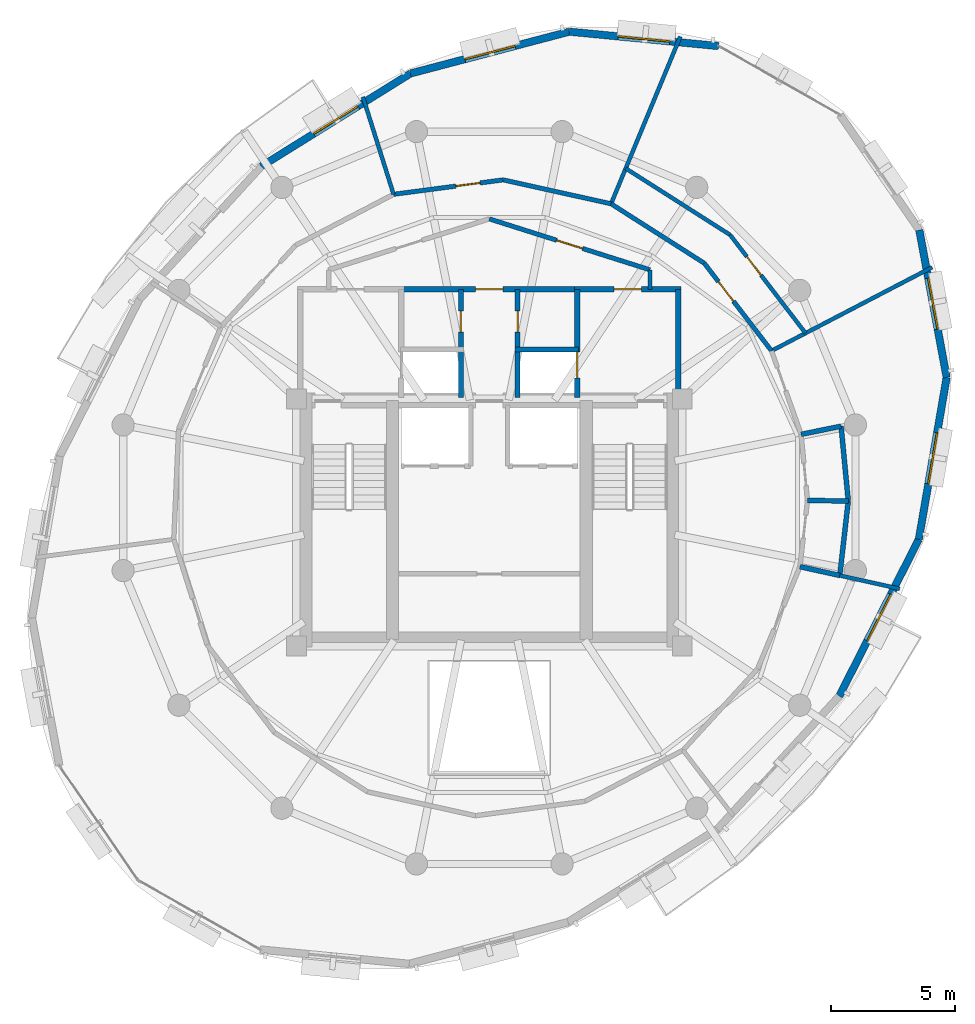
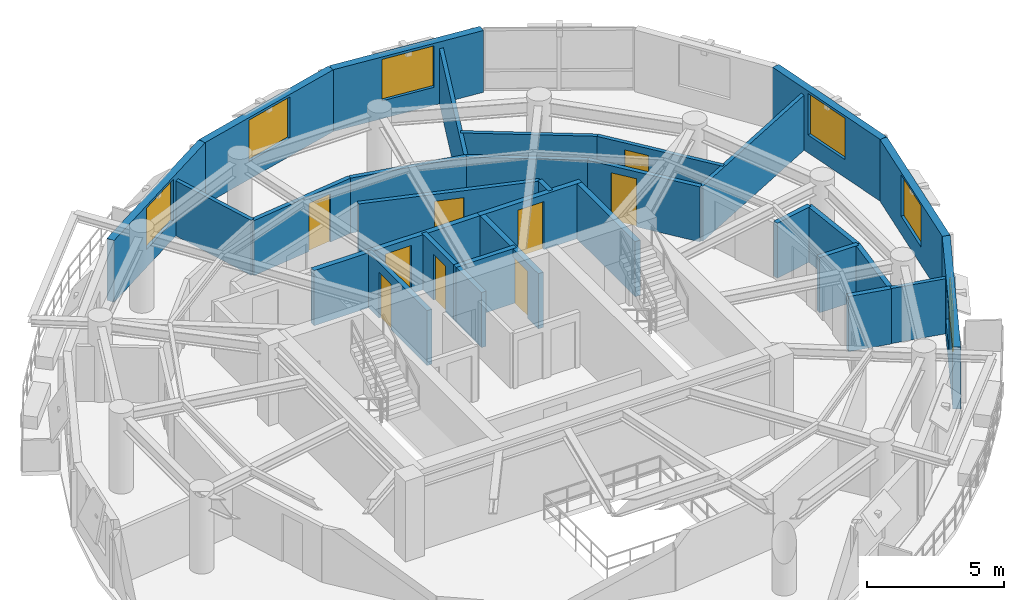
# One storey, part 9 of 12: 30 walls, 9 doors, 6 windows, 15 openings.
"""IFC4 building model written with IfcOpenShell, lengths in metres."""

from ifc_helpers import new_model, si_unit, direction, frame, frame_2d, origin, place, context, subcontext, project, spatial, rectangle, extrude, material, layer, layer_set, type_object, element, fill, save


model = new_model("IFC4")

# Units and contexts
model_context = context("Model", 3, precision=1e-05, world=origin(), true_north=direction((0.0, 1.0)))
body_context = subcontext(model_context, "Body", "Model", "MODEL_VIEW")
ifc_project = project(units=[si_unit("LENGTHUNIT", "METRE"), si_unit("AREAUNIT", "SQUARE_METRE"), si_unit("VOLUMEUNIT", "CUBIC_METRE"), si_unit("PLANEANGLEUNIT", "RADIAN"), si_unit("MASSUNIT", "GRAM", prefix="KILO"), si_unit("THERMODYNAMICTEMPERATUREUNIT", "KELVIN"), si_unit("POWERUNIT", "WATT")], contexts=[model_context])

# Site, building, storey
site_placement = place(None, origin())
site = spatial("IfcSite", under=ifc_project, at=site_placement, CompositionType="ELEMENT")
building_placement = place(site_placement, origin())
building = spatial("IfcBuilding", under=site, at=building_placement, Name="Ocrelia Relay Tower", CompositionType="ELEMENT")
storey_placement = place(building_placement, frame((0.0, 0.0, 230.39990234375)))
storey = spatial("IfcBuildingStorey", under=building, at=storey_placement, Name="L56", CompositionType="ELEMENT", Elevation=230.39990234375)

# Wall
ifc_material_1 = material(Name="Gypsum Fireboard Partition EI60", Category="gypsum")
ifc_layer_1 = layer(ifc_material_1, 0.179931640625, Name="Gypsum Fireboard Partition EI60")
ifc_layer_set_1 = layer_set([ifc_layer_1], Name="Gypsum Fireboard Partition EI60")
wall_type_1 = type_object("IfcWallType", Name="W-CORR-EI60-180", PredefinedType="PARTITIONING", material=ifc_layer_set_1)
wall_1_placement = place(storey_placement, frame((40.5, 35.218994140625, 0.0), z_axis=(0.0, 0.0, 1.0), x_axis=(0.0, -1.0, 0.0)))
element("IfcWall", 1, at=wall_1_placement, inside=storey, type_object=wall_type_1, Name="L56 Smoke Lobby East Return", PredefinedType="PARTITIONING", context=body_context, shape_type="SweptSolid", body=[
    extrude(rectangle(XDim=0.7890625, YDim=0.179931640625, at=frame_2d((0.39453125, 0.0))), origin(), (0.0, 0.0, 1.0), 2.460205078125),
])

# Wall, opening, door
wall_2_placement = place(storey_placement, frame((34.0, 37.280029296875, 0.0), z_axis=(0.0, 0.0, 1.0), x_axis=(0.953228121756, -0.302251795518, 0.0)))
wall_2 = element("IfcWall", 2, at=wall_2_placement, inside=storey, type_object=wall_type_1, Name="L56 North Smoke Lobby E Screen Wall", PredefinedType="PARTITIONING", context=body_context, shape_type="SweptSolid", body=[
    extrude(rectangle(XDim=6.81884765625, YDim=0.179931640625, at=frame_2d((3.409423828125, 0.0))), origin(), (0.0, 0.0, 1.0), 2.460205078125),
])
opening_1_placement = place(wall_2_placement, frame((2.859619140625, 0.0, 0.0)))
opening_1 = element("IfcOpeningElement", 3, at=opening_1_placement, cuts=wall_2, Name="Opening D-FD60", PredefinedType="OPENING", context=body_context, shape_type="SweptSolid", body=[
    extrude(rectangle(XDim=1.10009765625, YDim=2.14990234375, at=frame_2d((0.550048828125, 1.074951171875))), frame((0.0, 0.10009765625, 0.0), z_axis=(0.0, -1.0, 0.0), x_axis=(1.0, 0.0, 0.0)), (0.0, 0.0, 1.0), 0.199951171875),
])
ifc_material_2 = material(Name="Timber-core 60-min acoustic fire door", Category="wood")
door_type_1 = type_object("IfcDoorType", Name="DR-LOBBY-FD60-1100", OperationType="NOTDEFINED", PredefinedType="DOOR", material=ifc_material_2)
door_1_placement = place(opening_1_placement, origin())
door_1 = element("IfcDoor", 4, at=door_1_placement, inside=storey, type_object=door_type_1, Name="L56 North Smoke Lobby E Fire Door", OperationType="SINGLE_SWING_RIGHT", OverallHeight=2.14990234375, OverallWidth=1.10009765625, PredefinedType="DOOR", context=body_context, shape_type="SweptSolid", body=[
    extrude(rectangle(XDim=1.10009765625, YDim=2.14990234375, at=frame_2d((0.550048828125, 1.074951171875))), frame((0.0, 0.02490234375, 0.0), z_axis=(0.0, -1.0, 0.0), x_axis=(1.0, 0.0, 0.0)), (0.0, 0.0, 1.0), 0.050048828125),
])
fill(opening_1, door_1)

wall_3_placement = place(storey_placement, frame((45.415771484375, 31.942626953125, 0.0), z_axis=(0.0, 0.0, 1.0), x_axis=(-0.608746835117, 0.793364538365, 0.0)))
wall_3 = element("IfcWall", 5, at=wall_3_placement, inside=storey, type_object=wall_type_1, Name="L56 Counsel Office B Corridor Partition 1", PredefinedType="PARTITIONING", context=body_context, shape_type="SweptSolid", body=[
    extrude(rectangle(XDim=4.4697265625, YDim=0.179931640625, at=frame_2d((2.23486328125, 0.0))), origin(), (0.0, 0.0, 1.0), 2.460205078125),
])
opening_2_placement = place(wall_3_placement, frame((2.52734375, 0.0, 0.0)))
opening_2 = element("IfcOpeningElement", 6, at=opening_2_placement, cuts=wall_3, Name="Opening D-RM100", PredefinedType="OPENING", context=body_context, shape_type="SweptSolid", body=[
    extrude(rectangle(XDim=1.0, YDim=2.14990234375, at=frame_2d((0.5, 1.074951171875))), frame((0.0, 0.10009765625, 0.0), z_axis=(0.0, -1.0, 0.0), x_axis=(1.0, 0.0, 0.0)), (0.0, 0.0, 1.0), 0.199951171875),
])
ifc_material_3 = material(Name="Acoustic oak veneer fire door", Category="wood")
door_type_2 = type_object("IfcDoorType", Name="DR-ROOM-FD60-1000", OperationType="NOTDEFINED", PredefinedType="DOOR", material=ifc_material_3)
door_2_placement = place(opening_2_placement, origin())
door_2 = element("IfcDoor", 7, at=door_2_placement, inside=storey, type_object=door_type_2, Name="L56 Counsel Office B Entrance Door", OperationType="SINGLE_SWING_RIGHT", OverallHeight=2.14990234375, OverallWidth=1.0, PredefinedType="DOOR", context=body_context, shape_type="SweptSolid", body=[
    extrude(rectangle(XDim=1.0, YDim=2.14990234375, at=frame_2d((0.5, 1.074951171875))), frame((0.0, 0.02490234375, 0.0), z_axis=(0.0, -1.0, 0.0), x_axis=(1.0, 0.0, 0.0)), (0.0, 0.0, 1.0), 0.050048828125),
])
fill(opening_2, door_2)

# Walls
for number, where, z_axis, x_axis, name in (
    (8, (42.69482421875, 35.48876953125, 0.0), (0.0, 0.0, 1.0), (-0.843391492769, 0.53729953464, 0.0), "L56 Counsel Office B Corridor Partition 2"),
    (9, (38.925048828125, 37.890380859375, 0.0), (0.0, 0.0, 1.0), (-0.976291048481, 0.216461979699, 0.0), "L56 Finance Office C Corridor Partition 1"),
):
    element("IfcWall", number, at=place(storey_placement, frame(where, z_axis=z_axis, x_axis=x_axis)), inside=storey, type_object=wall_type_1, Name=name, PredefinedType="PARTITIONING", context=body_context, shape_type="SweptSolid", body=[
        extrude(rectangle(XDim=4.4697265625, YDim=0.179931640625, at=frame_2d((2.23486328125, 0.0))), origin(), (0.0, 0.0, 1.0), 2.460205078125),
    ])

# Wall, opening, door
wall_4_placement = place(storey_placement, frame((34.561279296875, 38.85791015625, 0.0), z_axis=(0.0, 0.0, 1.0), x_axis=(-0.991442206796, -0.130546354154, 0.0)))
wall_4 = element("IfcWall", 10, at=wall_4_placement, inside=storey, type_object=wall_type_1, Name="L56 Finance Office C Corridor Partition 2", PredefinedType="PARTITIONING", context=body_context, shape_type="SweptSolid", body=[
    extrude(rectangle(XDim=4.4697265625, YDim=0.179931640625, at=frame_2d((2.23486328125, 0.0))), origin(), (0.0, 0.0, 1.0), 2.460205078125),
])
opening_3_placement = place(wall_4_placement, frame((0.9423828125, 0.0, 0.0)))
opening_3 = element("IfcOpeningElement", 11, at=opening_3_placement, cuts=wall_4, Name="Opening D-RM100", PredefinedType="OPENING", context=body_context, shape_type="SweptSolid", body=[
    extrude(rectangle(XDim=1.0, YDim=2.14990234375, at=frame_2d((0.5, 1.074951171875))), frame((0.0, 0.10009765625, 0.0), z_axis=(0.0, -1.0, 0.0), x_axis=(1.0, 0.0, 0.0)), (0.0, 0.0, 1.0), 0.199951171875),
])
door_3_placement = place(opening_3_placement, origin())
door_3 = element("IfcDoor", 12, at=door_3_placement, inside=storey, type_object=door_type_2, Name="L56 Finance Office C Entrance Door", OperationType="SINGLE_SWING_RIGHT", OverallHeight=2.14990234375, OverallWidth=1.0, PredefinedType="DOOR", context=body_context, shape_type="SweptSolid", body=[
    extrude(rectangle(XDim=1.0, YDim=2.14990234375, at=frame_2d((0.5, 1.074951171875))), frame((0.0, 0.02490234375, 0.0), z_axis=(0.0, -1.0, 0.0), x_axis=(1.0, 0.0, 0.0)), (0.0, 0.0, 1.0), 0.050048828125),
])
fill(opening_3, door_3)

# Wall, opening, window
ifc_material_4 = material(Name="Precast concrete C40/50 with oxide terracotta", Category="masonry")
ifc_layer_2 = layer(ifc_material_4, 0.300048828125, Name="Precast concrete C40/50 with oxide terracotta")
ifc_layer_set_2 = layer_set([ifc_layer_2], Name="Precast concrete C40/50 with oxide terracotta")
wall_type_2 = type_object("IfcWallType", Name="W-EXT-TERR-300", PredefinedType="SOLIDWALL", material=ifc_layer_set_2)
wall_5_placement = place(storey_placement, frame((43.27197265625, 44.269287109375, 0.0), z_axis=(0.0, 0.0, 1.0), x_axis=(-0.995368057739, 0.096137555791, 0.0)))
wall_5 = element("IfcWall", 13, at=wall_5_placement, inside=storey, type_object=wall_type_2, Name="L56 Oxide Terracotta Facade Wall 02", PredefinedType="SOLIDWALL", context=body_context, shape_type="SweptSolid", body=[
    extrude(rectangle(XDim=6.061767578125, YDim=0.300048828125, at=frame_2d((3.03076171875, 0.0))), origin(), (0.0, 0.0, 1.0), 2.760009765625),
])
opening_4_placement = place(wall_5_placement, frame((1.98095703125, 0.0, 0.800048828125)))
opening_4 = element("IfcOpeningElement", 14, at=opening_4_placement, cuts=wall_5, Name="Opening W-07", PredefinedType="OPENING", context=body_context, shape_type="SweptSolid", body=[
    extrude(rectangle(XDim=2.10009765625, YDim=1.85009765625, at=frame_2d((1.050048828125, 0.925048828125))), frame((0.0, 0.16015625, 0.0), z_axis=(0.0, -1.0, 0.0), x_axis=(1.0, 0.0, 0.0)), (0.0, 0.0, 1.0), 0.320068359375),
])
ifc_material_5 = material(Name="Clear double-glazed low-E glass", Category="glass")
window_type = type_object("IfcWindowType", Name="WIN-Z4-2100x2200", PartitioningType="DOUBLE_PANEL_VERTICAL", PredefinedType="WINDOW", material=ifc_material_5)
window_1_placement = place(opening_4_placement, origin())
window_1 = element("IfcWindow", 15, at=window_1_placement, inside=storey, type_object=window_type, Name="L56 Facade Module Window 02", OverallHeight=1.85009765625, OverallWidth=2.10009765625, PartitioningType="SINGLE_PANEL", PredefinedType="WINDOW", context=body_context, shape_type="SweptSolid", body=[
    extrude(rectangle(XDim=2.10009765625, YDim=1.85009765625, at=frame_2d((1.050048828125, 0.925048828125))), frame((0.0, 0.030029296875, 0.0), z_axis=(0.0, -1.0, 0.0), x_axis=(1.0, 0.0, 0.0)), (0.0, 0.0, 1.0), 0.06005859375),
])
fill(opening_4, window_1)

wall_6_placement = place(storey_placement, frame((37.23828125, 44.85205078125, 0.0), z_axis=(0.0, 0.0, 1.0), x_axis=(-0.967065492063, -0.254527668555, 0.0)))
wall_6 = element("IfcWall", 16, at=wall_6_placement, inside=storey, type_object=wall_type_2, Name="L56 Oxide Terracotta Facade Wall 03", PredefinedType="SOLIDWALL", context=body_context, shape_type="SweptSolid", body=[
    extrude(rectangle(XDim=6.643310546875, YDim=0.300048828125, at=frame_2d((3.32177734375, 0.0))), origin(), (0.0, 0.0, 1.0), 2.760009765625),
])
opening_5_placement = place(wall_6_placement, frame((2.27197265625, 0.0, 0.800048828125)))
opening_5 = element("IfcOpeningElement", 17, at=opening_5_placement, cuts=wall_6, Name="Opening W-07", PredefinedType="OPENING", context=body_context, shape_type="SweptSolid", body=[
    extrude(rectangle(XDim=2.10009765625, YDim=1.85009765625, at=frame_2d((1.050048828125, 0.925048828125))), frame((0.0, 0.16015625, 0.0), z_axis=(0.0, -1.0, 0.0), x_axis=(1.0, 0.0, 0.0)), (0.0, 0.0, 1.0), 0.320068359375),
])
window_2_placement = place(opening_5_placement, origin())
window_2 = element("IfcWindow", 18, at=window_2_placement, inside=storey, type_object=window_type, Name="L56 Facade Module Window 03", OverallHeight=1.85009765625, OverallWidth=2.10009765625, PartitioningType="SINGLE_PANEL", PredefinedType="WINDOW", context=body_context, shape_type="SweptSolid", body=[
    extrude(rectangle(XDim=2.10009765625, YDim=1.85009765625, at=frame_2d((1.050048828125, 0.925048828125))), frame((0.0, 0.030029296875, 0.0), z_axis=(0.0, -1.0, 0.0), x_axis=(1.0, 0.0, 0.0)), (0.0, 0.0, 1.0), 0.06005859375),
])
fill(opening_5, window_2)

wall_7_placement = place(storey_placement, frame((30.813720703125, 43.1611328125, 0.0), z_axis=(0.0, 0.0, 1.0), x_axis=(-0.848899232852, -0.528554720406, 0.0)))
wall_7 = element("IfcWall", 19, at=wall_7_placement, inside=storey, type_object=wall_type_2, Name="L56 Oxide Terracotta Facade Wall 04", PredefinedType="SOLIDWALL", context=body_context, shape_type="SweptSolid", body=[
    extrude(rectangle(XDim=7.115234375, YDim=0.300048828125, at=frame_2d((3.5576171875, 0.0))), origin(), (0.0, 0.0, 1.0), 2.760009765625),
])
opening_6_placement = place(wall_7_placement, frame((2.508056640625, 0.0, 0.800048828125)))
opening_6 = element("IfcOpeningElement", 20, at=opening_6_placement, cuts=wall_7, Name="Opening W-07", PredefinedType="OPENING", context=body_context, shape_type="SweptSolid", body=[
    extrude(rectangle(XDim=2.10009765625, YDim=1.85009765625, at=frame_2d((1.050048828125, 0.925048828125))), frame((0.0, 0.16015625, 0.0), z_axis=(0.0, -1.0, 0.0), x_axis=(1.0, 0.0, 0.0)), (0.0, 0.0, 1.0), 0.320068359375),
])
window_3_placement = place(opening_6_placement, origin())
window_3 = element("IfcWindow", 21, at=window_3_placement, inside=storey, type_object=window_type, Name="L56 Facade Module Window 04", OverallHeight=1.85009765625, OverallWidth=2.10009765625, PartitioningType="SINGLE_PANEL", PredefinedType="WINDOW", context=body_context, shape_type="SweptSolid", body=[
    extrude(rectangle(XDim=2.10009765625, YDim=1.85009765625, at=frame_2d((1.050048828125, 0.925048828125))), frame((0.0, 0.030029296875, 0.0), z_axis=(0.0, -1.0, 0.0), x_axis=(1.0, 0.0, 0.0)), (0.0, 0.0, 1.0), 0.06005859375),
])
fill(opening_6, window_3)

wall_8_placement = place(storey_placement, frame((48.1533203125, 17.976806640625, 0.0), z_axis=(0.0, 0.0, 1.0), x_axis=(0.452571902959, 0.891727914025, 0.0)))
wall_8 = element("IfcWall", 22, at=wall_8_placement, inside=storey, type_object=wall_type_2, Name="L56 Oxide Terracotta Facade Wall 15", PredefinedType="SOLIDWALL", context=body_context, shape_type="SweptSolid", body=[
    extrude(rectangle(XDim=7.115478515625, YDim=0.300048828125, at=frame_2d((3.5576171875, 0.0))), origin(), (0.0, 0.0, 1.0), 2.760009765625),
])
opening_7_placement = place(wall_8_placement, frame((2.508056640625, 0.0, 0.800048828125)))
opening_7 = element("IfcOpeningElement", 23, at=opening_7_placement, cuts=wall_8, Name="Opening W-07", PredefinedType="OPENING", context=body_context, shape_type="SweptSolid", body=[
    extrude(rectangle(XDim=2.10009765625, YDim=1.85009765625, at=frame_2d((1.050048828125, 0.925048828125))), frame((0.0, 0.16015625, 0.0), z_axis=(0.0, -1.0, 0.0), x_axis=(1.0, 0.0, 0.0)), (0.0, 0.0, 1.0), 0.320068359375),
])
window_4_placement = place(opening_7_placement, origin())
window_4 = element("IfcWindow", 24, at=window_4_placement, inside=storey, type_object=window_type, Name="L56 Facade Module Window 15", OverallHeight=1.85009765625, OverallWidth=2.10009765625, PartitioningType="SINGLE_PANEL", PredefinedType="WINDOW", context=body_context, shape_type="SweptSolid", body=[
    extrude(rectangle(XDim=2.10009765625, YDim=1.85009765625, at=frame_2d((1.050048828125, 0.925048828125))), frame((0.0, 0.030029296875, 0.0), z_axis=(0.0, -1.0, 0.0), x_axis=(1.0, 0.0, 0.0)), (0.0, 0.0, 1.0), 0.06005859375),
])
fill(opening_7, window_4)

wall_9_placement = place(storey_placement, frame((51.37353515625, 24.32177734375, 0.0), z_axis=(0.0, 0.0, 1.0), x_axis=(0.169313685925, 0.985562213033, 0.0)))
wall_9 = element("IfcWall", 25, at=wall_9_placement, inside=storey, type_object=wall_type_2, Name="L56 Oxide Terracotta Facade Wall 16", PredefinedType="SOLIDWALL", context=body_context, shape_type="SweptSolid", body=[
    extrude(rectangle(XDim=6.64306640625, YDim=0.300048828125, at=frame_2d((3.321533203125, 0.0))), origin(), (0.0, 0.0, 1.0), 2.760009765625),
])
opening_8_placement = place(wall_9_placement, frame((2.27197265625, 0.0, 0.800048828125)))
opening_8 = element("IfcOpeningElement", 26, at=opening_8_placement, cuts=wall_9, Name="Opening W-07", PredefinedType="OPENING", context=body_context, shape_type="SweptSolid", body=[
    extrude(rectangle(XDim=2.10009765625, YDim=1.85009765625, at=frame_2d((1.050048828125, 0.925048828125))), frame((0.0, 0.16015625, 0.0), z_axis=(0.0, -1.0, 0.0), x_axis=(1.0, 0.0, 0.0)), (0.0, 0.0, 1.0), 0.320068359375),
])
window_5_placement = place(opening_8_placement, origin())
window_5 = element("IfcWindow", 27, at=window_5_placement, inside=storey, type_object=window_type, Name="L56 Facade Module Window 16", OverallHeight=1.85009765625, OverallWidth=2.10009765625, PartitioningType="SINGLE_PANEL", PredefinedType="WINDOW", context=body_context, shape_type="SweptSolid", body=[
    extrude(rectangle(XDim=2.10009765625, YDim=1.85009765625, at=frame_2d((1.050048828125, 0.925048828125))), frame((0.0, 0.030029296875, 0.0), z_axis=(0.0, -1.0, 0.0), x_axis=(1.0, 0.0, 0.0)), (0.0, 0.0, 1.0), 0.06005859375),
])
fill(opening_8, window_5)

wall_10_placement = place(storey_placement, frame((52.498291015625, 30.868896484375, 0.0), z_axis=(0.0, 0.0, 1.0), x_axis=(-0.182566609736, 0.983193487066, 0.0)))
wall_10 = element("IfcWall", 28, at=wall_10_placement, inside=storey, type_object=wall_type_2, Name="L56 Oxide Terracotta Facade Wall 17", PredefinedType="SOLIDWALL", context=body_context, shape_type="SweptSolid", body=[
    extrude(rectangle(XDim=6.061767578125, YDim=0.300048828125, at=frame_2d((3.03076171875, 0.0))), origin(), (0.0, 0.0, 1.0), 2.760009765625),
])
opening_9_placement = place(wall_10_placement, frame((1.98095703125, 0.0, 0.800048828125)))
opening_9 = element("IfcOpeningElement", 29, at=opening_9_placement, cuts=wall_10, Name="Opening W-07", PredefinedType="OPENING", context=body_context, shape_type="SweptSolid", body=[
    extrude(rectangle(XDim=2.10009765625, YDim=1.85009765625, at=frame_2d((1.050048828125, 0.925048828125))), frame((0.0, 0.16015625, 0.0), z_axis=(0.0, -1.0, 0.0), x_axis=(1.0, 0.0, 0.0)), (0.0, 0.0, 1.0), 0.320068359375),
])
window_6_placement = place(opening_9_placement, origin())
window_6 = element("IfcWindow", 30, at=window_6_placement, inside=storey, type_object=window_type, Name="L56 Facade Module Window 17", OverallHeight=1.85009765625, OverallWidth=2.10009765625, PartitioningType="SINGLE_PANEL", PredefinedType="WINDOW", context=body_context, shape_type="SweptSolid", body=[
    extrude(rectangle(XDim=2.10009765625, YDim=1.85009765625, at=frame_2d((1.050048828125, 0.925048828125))), frame((0.0, 0.030029296875, 0.0), z_axis=(0.0, -1.0, 0.0), x_axis=(1.0, 0.0, 0.0)), (0.0, 0.0, 1.0), 0.06005859375),
])
fill(opening_9, window_6)

# Wall, opening, door
ifc_material_6 = material(Name="Concrete C50/60", Category="concrete")
ifc_layer_3 = layer(ifc_material_6, 0.219970703125, Name="Concrete C50/60")
ifc_layer_set_3 = layer_set([ifc_layer_3], Name="Concrete C50/60")
wall_type_3 = type_object("IfcWallType", Name="W-FFL-EI120-220", PredefinedType="SOLIDWALL", material=ifc_layer_set_3)
wall_11_placement = place(storey_placement, frame((37.56005859375, 30.050048828125, 0.0), z_axis=(0.0, 0.0, 1.0), x_axis=(0.0, 1.0, 0.0)))
wall_11 = element("IfcWall", 31, at=wall_11_placement, inside=storey, type_object=wall_type_3, Name="L56 E Fire Service Lift Lobby West Wall", PredefinedType="SOLIDWALL", context=body_context, shape_type="SweptSolid", body=[
    extrude(rectangle(XDim=4.3798828125, YDim=0.219970703125, at=frame_2d((2.18994140625, 0.0))), origin(), (0.0, 0.0, 1.0), 2.460205078125),
])
opening_10_placement = place(wall_11_placement, frame((0.800048828125, 0.0, 0.0)))
opening_10 = element("IfcOpeningElement", 32, at=opening_10_placement, cuts=wall_11, Name="Opening LD-FFL2", PredefinedType="OPENING", context=body_context, shape_type="SweptSolid", body=[
    extrude(rectangle(XDim=1.050048828125, YDim=2.10009765625, at=frame_2d((0.52490234375, 1.050048828125))), frame((0.0, 0.1201171875, 0.0), z_axis=(0.0, -1.0, 0.0), x_axis=(1.0, 0.0, 0.0)), (0.0, 0.0, 1.0), 0.239990234375),
])
ifc_material_7 = material(Name="Brushed stainless steel S355 lift landing door", Category="steel")
door_type_3 = type_object("IfcDoorType", Name="DR-LIFT-LAND-1050", OperationType="DOUBLE_DOOR_SLIDING", PredefinedType="USERDEFINED", material=ifc_material_7)
door_4_placement = place(opening_10_placement, origin())
door_4 = element("IfcDoor", 33, at=door_4_placement, inside=storey, type_object=door_type_3, Name="L56 Firefighting Lift FFL2 Sliding Landing Door", ObjectType="LANDING DOOR", OperationType="DOUBLE_DOOR_SLIDING", OverallHeight=2.10009765625, OverallWidth=1.050048828125, PredefinedType="USERDEFINED", context=body_context, shape_type="SweptSolid", body=[
    extrude(rectangle(XDim=1.050048828125, YDim=2.10009765625, at=frame_2d((0.52490234375, 1.050048828125))), frame((0.0, 0.02490234375, 0.0), z_axis=(0.0, -1.0, 0.0), x_axis=(1.0, 0.0, 0.0)), (0.0, 0.0, 1.0), 0.050048828125),
])
fill(opening_10, door_4)

# Wall
wall_12_placement = place(storey_placement, frame((41.64990234375, 30.050048828125, 0.0), z_axis=(0.0, 0.0, 1.0), x_axis=(0.0, 1.0, 0.0)))
element("IfcWall", 34, at=wall_12_placement, inside=storey, type_object=wall_type_3, Name="L56 E Fire Service Lift Lobby East Wall", PredefinedType="SOLIDWALL", context=body_context, shape_type="SweptSolid", body=[
    extrude(rectangle(XDim=4.3798828125, YDim=0.219970703125, at=frame_2d((2.18994140625, 0.0))), origin(), (0.0, 0.0, 1.0), 2.460205078125),
])

# Wall, opening, door
wall_13_placement = place(storey_placement, frame((37.449951171875, 34.429931640625, 0.0), z_axis=(0.0, 0.0, 1.0), x_axis=(1.0, 0.0, 0.0)))
wall_13 = element("IfcWall", 35, at=wall_13_placement, inside=storey, type_object=wall_type_3, Name="L56 E Fire Service Lift Lobby North Wall", PredefinedType="SOLIDWALL", context=body_context, shape_type="SweptSolid", body=[
    extrude(rectangle(XDim=4.31005859375, YDim=0.219970703125, at=frame_2d((2.155029296875, 0.0))), origin(), (0.0, 0.0, 1.0), 2.460205078125),
])
opening_11_placement = place(wall_13_placement, frame((1.60009765625, 0.0, 0.0)))
opening_11 = element("IfcOpeningElement", 36, at=opening_11_placement, cuts=wall_13, Name="Opening D-FD60", PredefinedType="OPENING", context=body_context, shape_type="SweptSolid", body=[
    extrude(rectangle(XDim=1.10009765625, YDim=2.14990234375, at=frame_2d((0.550048828125, 1.074951171875))), frame((0.0, 0.1201171875, 0.0), z_axis=(0.0, -1.0, 0.0), x_axis=(1.0, 0.0, 0.0)), (0.0, 0.0, 1.0), 0.239990234375),
])
door_5_placement = place(opening_11_placement, origin())
door_5 = element("IfcDoor", 37, at=door_5_placement, inside=storey, type_object=door_type_1, Name="L56 E Fire Service Lift Lobby Exit Door", OperationType="SINGLE_SWING_LEFT", OverallHeight=2.14990234375, OverallWidth=1.10009765625, PredefinedType="DOOR", context=body_context, shape_type="SweptSolid", body=[
    extrude(rectangle(XDim=1.10009765625, YDim=2.14990234375, at=frame_2d((0.550048828125, 1.074951171875))), frame((0.0, 0.02490234375, 0.0), z_axis=(0.0, -1.0, 0.0), x_axis=(1.0, 0.0, 0.0)), (0.0, 0.0, 1.0), 0.050048828125),
])
fill(opening_11, door_5)

wall_14_placement = place(storey_placement, frame((30.43994140625, 34.429931640625, 0.0), z_axis=(0.0, 0.0, 1.0), x_axis=(1.0, 0.0, 0.0)))
wall_14 = element("IfcWall", 38, at=wall_14_placement, inside=storey, type_object=wall_type_3, Name="L56 North Core Vestibule Wall", PredefinedType="SOLIDWALL", context=body_context, shape_type="SweptSolid", body=[
    extrude(rectangle(XDim=7.1201171875, YDim=0.219970703125, at=frame_2d((3.56005859375, 0.0))), origin(), (0.0, 0.0, 1.0), 2.460205078125),
])
opening_12_placement = place(wall_14_placement, frame((3.010009765625, 0.0, 0.0)))
opening_12 = element("IfcOpeningElement", 39, at=opening_12_placement, cuts=wall_14, Name="Opening D-FD60", PredefinedType="OPENING", context=body_context, shape_type="SweptSolid", body=[
    extrude(rectangle(XDim=1.10009765625, YDim=2.14990234375, at=frame_2d((0.550048828125, 1.074951171875))), frame((0.0, 0.1201171875, 0.0), z_axis=(0.0, -1.0, 0.0), x_axis=(1.0, 0.0, 0.0)), (0.0, 0.0, 1.0), 0.239990234375),
])
door_6_placement = place(opening_12_placement, origin())
door_6 = element("IfcDoor", 40, at=door_6_placement, inside=storey, type_object=door_type_1, Name="L56 North Core Vestibule Corridor Door", OperationType="SINGLE_SWING_LEFT", OverallHeight=2.14990234375, OverallWidth=1.10009765625, PredefinedType="DOOR", context=body_context, shape_type="SweptSolid", body=[
    extrude(rectangle(XDim=1.10009765625, YDim=2.14990234375, at=frame_2d((0.550048828125, 1.074951171875))), frame((0.0, 0.02490234375, 0.0), z_axis=(0.0, -1.0, 0.0), x_axis=(1.0, 0.0, 0.0)), (0.0, 0.0, 1.0), 0.050048828125),
])
fill(opening_12, door_6)

# Walls
ifc_material_8 = material(Name="Acoustic Fireboard Partition EI60", Category="gypsum")
ifc_layer_4 = layer(ifc_material_8, 0.159912109375, Name="Acoustic Fireboard Partition EI60")
ifc_layer_set_4 = layer_set([ifc_layer_4], Name="Acoustic Fireboard Partition EI60")
wall_type_4 = type_object("IfcWallType", Name="W-PART-160", PredefinedType="PARTITIONING", material=ifc_layer_set_4)
wall_15_placement = place(storey_placement, frame((48.17578125, 22.857421875, 0.0), z_axis=(0.0, 0.0, 1.0), x_axis=(0.976281946944, -0.216503025548, 0.0)))
element("IfcWall", 41, at=wall_15_placement, inside=storey, type_object=wall_type_4, Name="L56 Executive Telecom Office A Radial Partition", PredefinedType="PARTITIONING", context=body_context, shape_type="SweptSolid", body=[
    extrude(rectangle(XDim=2.479736328125, YDim=0.159912109375, at=frame_2d((1.23974609375, 0.0))), origin(), (0.0, 0.0, 1.0), 2.460205078125),
])
for number, where, z_axis, x_axis, name in (
    (42, (45.415771484375, 31.942626953125, 0.0), (0.0, 0.0, 1.0), (0.887002051681, 0.461765481943, 0.0), "L56 Executive Telecom Office A Radial Partition"),
    (43, (38.925048828125, 37.890380859375, 0.0), (0.0, 0.0, 1.0), (0.382676871851, 0.923882249938, 0.0), "L56 Counsel Office B Radial Partition"),
):
    element("IfcWall", number, at=place(storey_placement, frame(where, z_axis=z_axis, x_axis=x_axis)), inside=storey, type_object=wall_type_4, Name=name, PredefinedType="PARTITIONING", context=body_context, shape_type="SweptSolid", body=[
        extrude(rectangle(XDim=7.318359375, YDim=0.159912109375, at=frame_2d((3.6591796875, 0.0))), origin(), (0.0, 0.0, 1.0), 2.460205078125),
    ])

# Wall, opening, door
wall_16_placement = place(storey_placement, frame((46.790771484375, 32.658447265625, 0.0), z_axis=(0.0, 0.0, 1.0), x_axis=(-0.608777402424, 0.793341083203, 0.0)))
wall_16 = element("IfcWall", 44, at=wall_16_placement, inside=storey, type_object=wall_type_4, Name="L56 Perimeter Counsel Office B Mid-Ring Partition 1", PredefinedType="PARTITIONING", context=body_context, shape_type="SweptSolid", body=[
    extrude(rectangle(XDim=5.008056640625, YDim=0.159912109375, at=frame_2d((2.50390625, 0.0))), origin(), (0.0, 0.0, 1.0), 2.460205078125),
])
opening_13_placement = place(wall_16_placement, frame((2.95361328125, 0.0, 0.0)))
opening_13 = element("IfcOpeningElement", 45, at=opening_13_placement, cuts=wall_16, Name="Opening D-RM95", PredefinedType="OPENING", context=body_context, shape_type="SweptSolid", body=[
    extrude(rectangle(XDim=0.949951171875, YDim=2.14990234375, at=frame_2d((0.47509765625, 1.074951171875))), frame((0.0, 0.08984375, 0.0), z_axis=(0.0, -1.0, 0.0), x_axis=(1.0, 0.0, 0.0)), (0.0, 0.0, 1.0), 0.179931640625),
])
door_type_4 = type_object("IfcDoorType", Name="DR-ROOM-950", OperationType="NOTDEFINED", PredefinedType="DOOR", material=ifc_material_3)
door_7_placement = place(opening_13_placement, origin())
door_7 = element("IfcDoor", 46, at=door_7_placement, inside=storey, type_object=door_type_4, Name="L56 Perimeter Counsel Office B Connecting Door", OperationType="SINGLE_SWING_LEFT", OverallHeight=2.14990234375, OverallWidth=0.949951171875, PredefinedType="DOOR", context=body_context, shape_type="SweptSolid", body=[
    extrude(rectangle(XDim=0.949951171875, YDim=2.14990234375, at=frame_2d((0.47509765625, 1.074951171875))), frame((0.0, 0.02490234375, 0.0), z_axis=(0.0, -1.0, 0.0), x_axis=(1.0, 0.0, 0.0)), (0.0, 0.0, 1.0), 0.050048828125),
])
fill(opening_13, door_7)

# Walls
wall_17_placement = place(storey_placement, frame((43.741943359375, 36.631591796875, 0.0), z_axis=(0.0, 0.0, 1.0), x_axis=(-0.84339841599, 0.537288667204, 0.0)))
element("IfcWall", 47, at=wall_17_placement, inside=storey, type_object=wall_type_4, Name="L56 Perimeter Counsel Office B Mid-Ring Partition 2", PredefinedType="PARTITIONING", context=body_context, shape_type="SweptSolid", body=[
    extrude(rectangle(XDim=5.0078125, YDim=0.159912109375, at=frame_2d((2.50390625, 0.0))), origin(), (0.0, 0.0, 1.0), 2.460205078125),
])
wall_18_placement = place(storey_placement, frame((30.1298828125, 38.2744140625, 0.0), z_axis=(0.0, 0.0, 1.0), x_axis=(-0.300684286432, 0.953723733527, 0.0)))
element("IfcWall", 48, at=wall_18_placement, inside=storey, type_object=wall_type_4, Name="L56 Finance Office C Radial Partition", PredefinedType="PARTITIONING", context=body_context, shape_type="SweptSolid", body=[
    extrude(rectangle(XDim=4.129638671875, YDim=0.159912109375, at=frame_2d((2.06494140625, 0.0))), origin(), (0.0, 0.0, 1.0), 2.460205078125),
])
ifc_material_9 = material(Name="Moisture-Resistant Fireboard Chase Wall EI60", Category="gypsum")
ifc_layer_5 = layer(ifc_material_9, 0.199951171875, Name="Moisture-Resistant Fireboard Chase Wall EI60")
ifc_layer_set_5 = layer_set([ifc_layer_5], Name="Moisture-Resistant Fireboard Chase Wall EI60")
wall_type_5 = type_object("IfcWallType", Name="W-PLUMB-200", PredefinedType="PLUMBINGWALL", material=ifc_layer_set_5)
for number, where, z_axis, x_axis, name in (
    (49, (46.56494140625, 23.21435546875, 0.0), (0.0, 0.0, 1.0), (0.976319182995, -0.216335047823, 0.0), "L56 Staff Toilet Plumbing Radial Wall"),
    (50, (46.869384765625, 25.8876953125, 0.0), (0.0, 0.0, 1.0), (0.999961892292, -0.008730060912, 0.0), "L56 Staff Toilet Plumbing Radial Wall"),
):
    element("IfcWall", number, at=place(storey_placement, frame(where, z_axis=z_axis, x_axis=x_axis)), inside=storey, type_object=wall_type_5, Name=name, PredefinedType="PLUMBINGWALL", context=body_context, shape_type="SweptSolid", body=[
        extrude(rectangle(XDim=1.64990234375, YDim=0.199951171875, at=frame_2d((0.824951171875, 0.0))), origin(), (0.0, 0.0, 1.0), 2.460205078125),
    ])
wall_19_placement = place(storey_placement, frame((48.17578125, 22.857421875, 0.0), z_axis=(0.0, 0.0, 1.0), x_axis=(0.113167755545, 0.99357589499, 0.0)))
element("IfcWall", 51, at=wall_19_placement, inside=storey, type_object=wall_type_5, Name="L56 Staff Toilet Back Plumbing Wall", PredefinedType="PLUMBINGWALL", context=body_context, shape_type="SweptSolid", body=[
    extrude(rectangle(XDim=3.035400390625, YDim=0.199951171875, at=frame_2d((1.517578125, 0.0))), origin(), (0.0, 0.0, 1.0), 2.460205078125),
])
wall_20_placement = place(storey_placement, frame((46.611572265625, 28.56591796875, 0.0), z_axis=(0.0, 0.0, 1.0), x_axis=(0.979938131642, 0.199301927121, 0.0)))
element("IfcWall", 52, at=wall_20_placement, inside=storey, type_object=wall_type_5, Name="L56 Accessible Toilet Plumbing Radial Wall", PredefinedType="PLUMBINGWALL", context=body_context, shape_type="SweptSolid", body=[
    extrude(rectangle(XDim=1.650146484375, YDim=0.199951171875, at=frame_2d((0.8251953125, 0.0))), origin(), (0.0, 0.0, 1.0), 2.460205078125),
])
wall_21_placement = place(storey_placement, frame((48.519287109375, 25.873291015625, 0.0), z_axis=(0.0, 0.0, 1.0), x_axis=(-0.095792099504, 0.995401363106, 0.0)))
element("IfcWall", 53, at=wall_21_placement, inside=storey, type_object=wall_type_5, Name="L56 Accessible Toilet Back Plumbing Wall", PredefinedType="PLUMBINGWALL", context=body_context, shape_type="SweptSolid", body=[
    extrude(rectangle(XDim=3.035400390625, YDim=0.199951171875, at=frame_2d((1.517578125, 0.0))), origin(), (0.0, 0.0, 1.0), 2.460205078125),
])

# Wall, opening, door
ifc_layer_6 = layer(ifc_material_6, 0.199951171875, Name="Concrete C50/60")
ifc_layer_set_6 = layer_set([ifc_layer_6], Name="Concrete C50/60")
wall_type_6 = type_object("IfcWallType", Name="W-SHAFT-EI120-200", PredefinedType="SOLIDWALL", material=ifc_layer_set_6)
wall_22_placement = place(storey_placement, frame((32.85009765625, 30.050048828125, 0.0), z_axis=(0.0, 0.0, 1.0), x_axis=(0.0, 1.0, 0.0)))
wall_22 = element("IfcWall", 54, at=wall_22_placement, inside=storey, type_object=wall_type_6, Name="L56 FFL1 and Service Vestibule Wall", PredefinedType="SOLIDWALL", context=body_context, shape_type="SweptSolid", body=[
    extrude(rectangle(XDim=4.3798828125, YDim=0.199951171875, at=frame_2d((2.18994140625, 0.0))), origin(), (0.0, 0.0, 1.0), 2.460205078125),
])
opening_14_placement = place(wall_22_placement, frame((2.64990234375, 0.0, 0.0)))
opening_14 = element("IfcOpeningElement", 55, at=opening_14_placement, cuts=wall_22, Name="Opening D-RS86", PredefinedType="OPENING", context=body_context, shape_type="SweptSolid", body=[
    extrude(rectangle(XDim=0.860107421875, YDim=2.050048828125, at=frame_2d((0.43017578125, 1.02490234375))), frame((0.0, 0.10986328125, 0.0), z_axis=(0.0, -1.0, 0.0), x_axis=(1.0, 0.0, 0.0)), (0.0, 0.0, 1.0), 0.219970703125),
])
ifc_material_10 = material(Name="Steel S355 riser access fire door", Category="steel")
door_type_5 = type_object("IfcDoorType", Name="DR-RISER-TRAP-860", OperationType="NOTDEFINED", PredefinedType="TRAPDOOR", material=ifc_material_10)
door_8_placement = place(opening_14_placement, origin())
door_8 = element("IfcDoor", 56, at=door_8_placement, inside=storey, type_object=door_type_5, Name="L56 Core Support Room W Door", OperationType="SINGLE_SWING_RIGHT", OverallHeight=2.050048828125, OverallWidth=0.860107421875, PredefinedType="TRAPDOOR", context=body_context, shape_type="SweptSolid", body=[
    extrude(rectangle(XDim=0.860107421875, YDim=2.050048828125, at=frame_2d((0.43017578125, 1.02490234375))), frame((0.0, 0.02490234375, 0.0), z_axis=(0.0, -1.0, 0.0), x_axis=(1.0, 0.0, 0.0)), (0.0, 0.0, 1.0), 0.050048828125),
])
fill(opening_14, door_8)

# Wall
wall_23_placement = place(storey_placement, frame((35.050048828125, 32.0, 0.0), z_axis=(0.0, 0.0, 1.0), x_axis=(1.0, 0.0, 0.0)))
element("IfcWall", 57, at=wall_23_placement, inside=storey, type_object=wall_type_6, Name="L56 FFL2 Hoistway North Wall", PredefinedType="SOLIDWALL", context=body_context, shape_type="SweptSolid", body=[
    extrude(rectangle(XDim=2.550048828125, YDim=0.199951171875, at=frame_2d((1.27490234375, 0.0))), origin(), (0.0, 0.0, 1.0), 2.460205078125),
])

# Wall, opening, door
wall_24_placement = place(storey_placement, frame((35.14990234375, 30.050048828125, 0.0), z_axis=(0.0, 0.0, 1.0), x_axis=(0.0, 1.0, 0.0)))
wall_24 = element("IfcWall", 58, at=wall_24_placement, inside=storey, type_object=wall_type_6, Name="L56 FFL2 and Service Vestibule Wall", PredefinedType="SOLIDWALL", context=body_context, shape_type="SweptSolid", body=[
    extrude(rectangle(XDim=4.3798828125, YDim=0.199951171875, at=frame_2d((2.18994140625, 0.0))), origin(), (0.0, 0.0, 1.0), 2.460205078125),
])
opening_15_placement = place(wall_24_placement, frame((2.64990234375, 0.0, 0.0)))
opening_15 = element("IfcOpeningElement", 59, at=opening_15_placement, cuts=wall_24, Name="Opening D-RS86", PredefinedType="OPENING", context=body_context, shape_type="SweptSolid", body=[
    extrude(rectangle(XDim=0.860107421875, YDim=2.050048828125, at=frame_2d((0.43017578125, 1.02490234375))), frame((0.0, 0.10986328125, 0.0), z_axis=(0.0, -1.0, 0.0), x_axis=(1.0, 0.0, 0.0)), (0.0, 0.0, 1.0), 0.219970703125),
])
door_9_placement = place(opening_15_placement, origin())
door_9 = element("IfcDoor", 60, at=door_9_placement, inside=storey, type_object=door_type_5, Name="L56 Core Support Room E Door", OperationType="SINGLE_SWING_RIGHT", OverallHeight=2.050048828125, OverallWidth=0.860107421875, PredefinedType="TRAPDOOR", context=body_context, shape_type="SweptSolid", body=[
    extrude(rectangle(XDim=0.860107421875, YDim=2.050048828125, at=frame_2d((0.43017578125, 1.02490234375))), frame((0.0, 0.02490234375, 0.0), z_axis=(0.0, -1.0, 0.0), x_axis=(1.0, 0.0, 0.0)), (0.0, 0.0, 1.0), 0.050048828125),
])
fill(opening_15, door_9)

save(model, "model.ifc")
